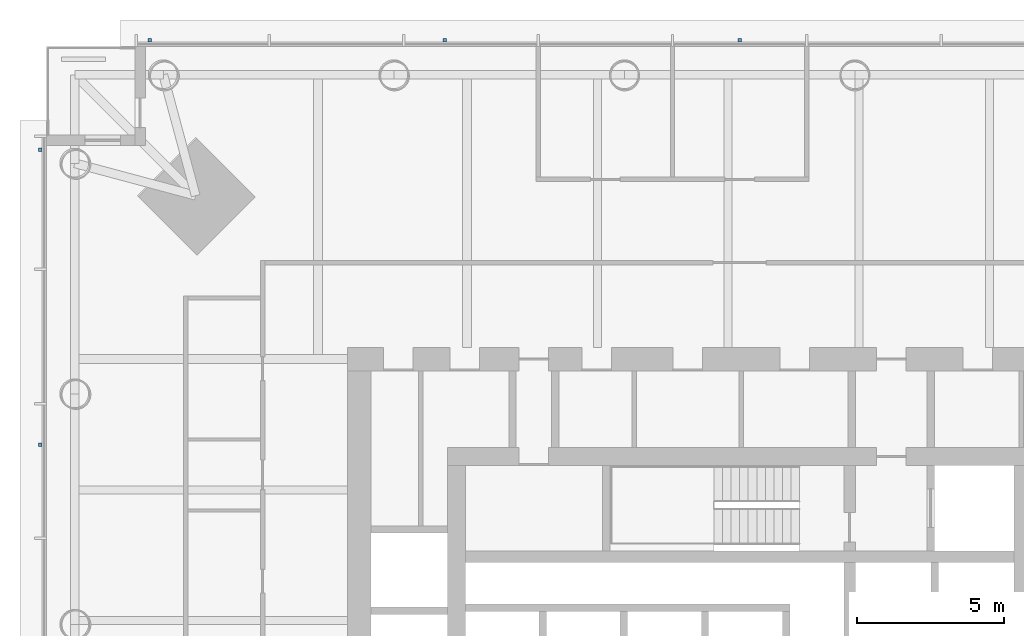
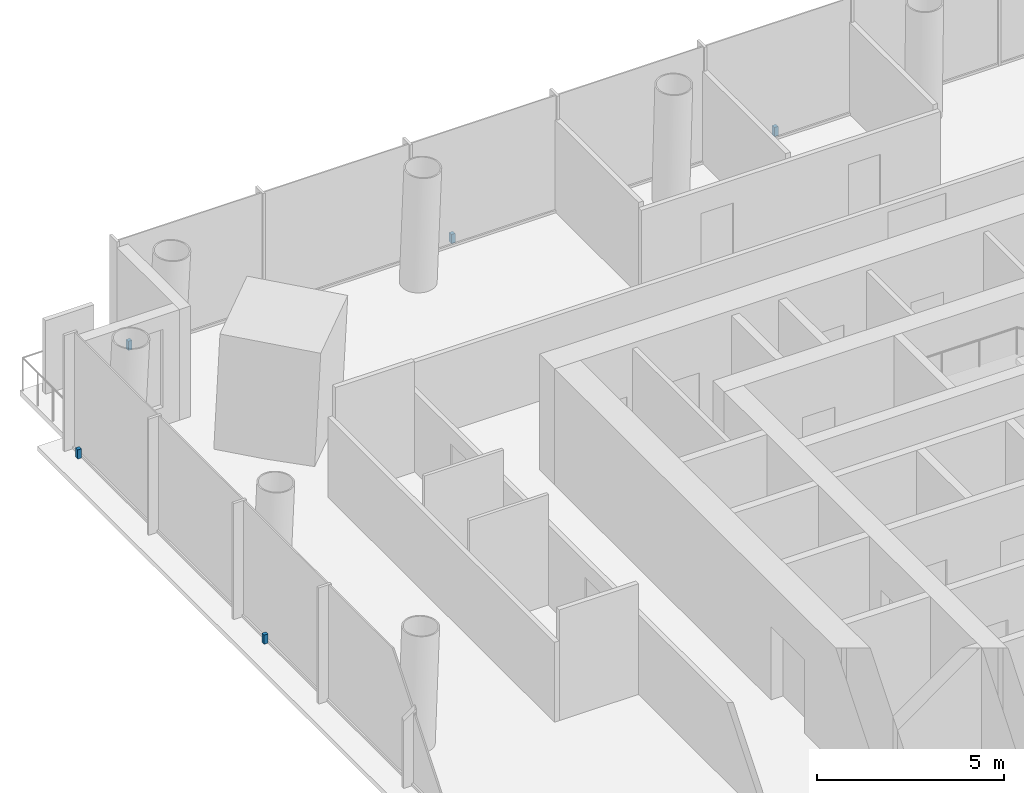
# One storey, part 20 of 26: 5 discrete accessories.
"""IFC4 building model written with IfcOpenShell, lengths in metres."""

from ifc_helpers import new_model, si_unit, direction, frame, origin, origin_2d, place, context, subcontext, project, spatial, rectangle, extrude, material, type_object, element, save


model = new_model("IFC4")

# Units and contexts
model_context = context("Model", 3, precision=1e-05, world=origin(), true_north=direction((0.0, 1.0)))
body_context = subcontext(model_context, "Body", "Model", "MODEL_VIEW")
ifc_project = project(units=[si_unit("LENGTHUNIT", "METRE"), si_unit("AREAUNIT", "SQUARE_METRE"), si_unit("VOLUMEUNIT", "CUBIC_METRE"), si_unit("PLANEANGLEUNIT", "RADIAN"), si_unit("MASSUNIT", "GRAM", prefix="KILO")], contexts=[model_context])

# Site, building, storey
site_placement = place(None, origin())
site = spatial("IfcSite", under=ifc_project, at=site_placement, CompositionType="ELEMENT")
building_placement = place(site_placement, origin())
building = spatial("IfcBuilding", under=site, at=building_placement, Name="Ostroluk Exchange", CompositionType="ELEMENT")
storey_placement = place(building_placement, frame((0.0, 0.0, 66.60009765625)))
storey = spatial("IfcBuildingStorey", under=building, at=storey_placement, Name="L16", CompositionType="ELEMENT", Elevation=66.60009765625)

# Discrete accessories
ifc_material = material(Name="Stainless steel", Category="steel")
discrete_accessory_type = type_object("IfcDiscreteAccessoryType", Name="Fall-arrest anchor PN-EN 795 type C", PredefinedType="USERDEFINED", material=ifc_material)
for number, where, z_axis, x_axis, name in (
    (1, (25.0, 69.7099609375, 0.0), (0.0, 0.0, 1.0), (1.0, 0.0, 0.0), "Fall-arrest anchor L16 north 1"),
    (2, (35.0, 69.7099609375, 0.0), (0.0, 0.0, 1.0), (1.0, 0.0, 0.0), "Fall-arrest anchor L16 north 2"),
    (3, (45.0, 69.7099609375, 0.0), (0.0, 0.0, 1.0), (1.0, 0.0, 0.0), "Fall-arrest anchor L16 north 3"),
    (4, (21.2900390625, 56.0, 0.0), (0.0, 0.0, 1.0), (1.0, 0.0, 0.0), "Fall-arrest anchor L16 west 4"),
    (5, (21.2900390625, 66.0, 0.0), (0.0, 0.0, 1.0), (1.0, 0.0, 0.0), "Fall-arrest anchor L16 west 5"),
):
    element("IfcDiscreteAccessory", number, at=place(storey_placement, frame(where, z_axis=z_axis, x_axis=x_axis)), inside=storey, type_object=discrete_accessory_type, Name=name, ObjectType="FALL ARREST ANCHOR", PredefinedType="USERDEFINED", context=body_context, shape_type="SweptSolid", body=[
        extrude(rectangle(XDim=0.1201171875, YDim=0.1201171875, at=origin_2d()), origin(), (0.0, 0.0, 1.0), 0.300048828125),
    ])

save(model, "model.ifc")
